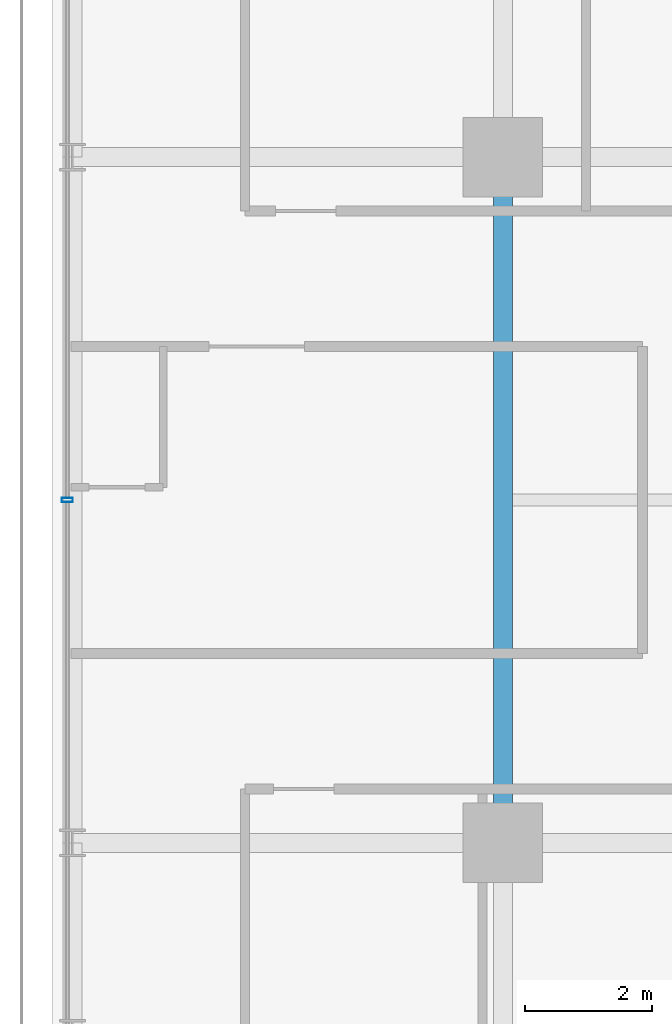
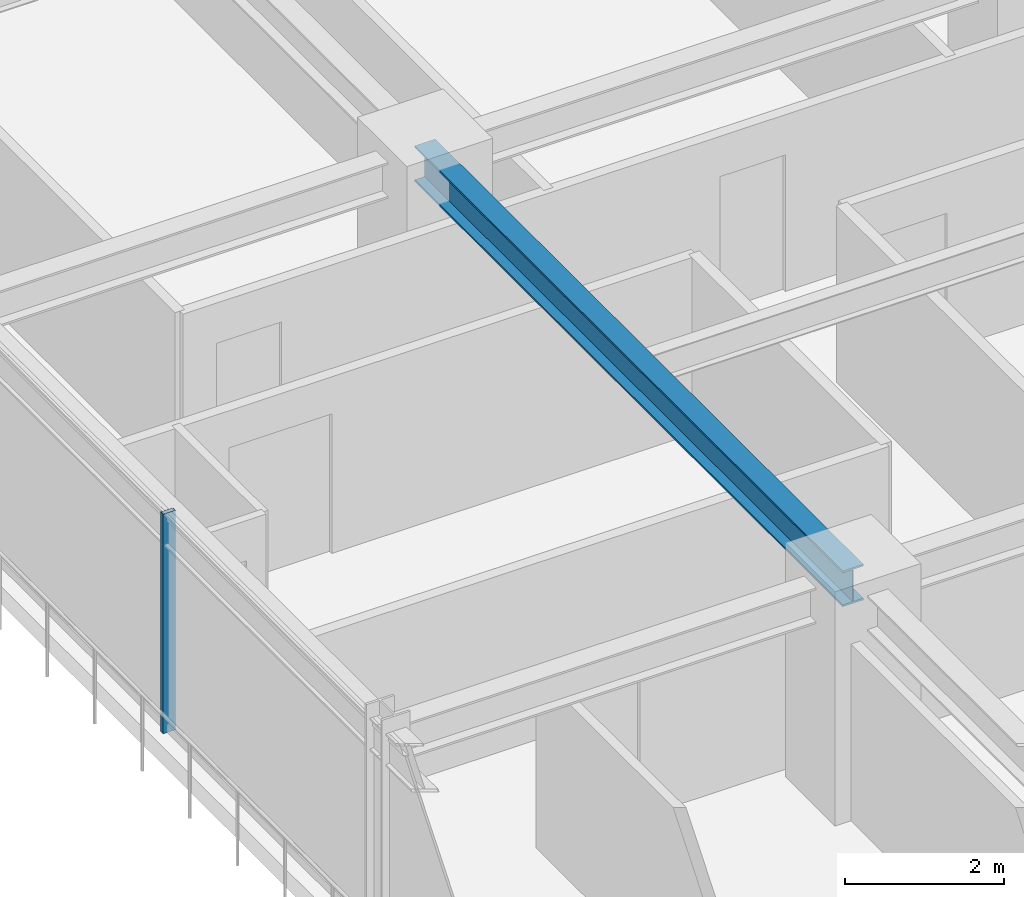
# One storey, part 9 of 34: 1 beam, 1 member, 1 element without a shape of its own.
"""IFC4 building model written with IfcOpenShell, lengths in metres."""

from ifc_helpers import new_model, si_unit, direction, frame, origin, origin_2d, place, context, subcontext, project, spatial, hollow_rectangle, i_section, extrude, source, transform, mapped, material, material_profile, profile_set, type_object, element, aggregate, save


model = new_model("IFC4")

# Units and contexts
model_context = context("Model", 3, precision=1e-05, world=origin(), true_north=direction((0.0, 1.0)))
body_context = subcontext(model_context, "Body", "Model", "MODEL_VIEW")
ifc_project = project(units=[si_unit("LENGTHUNIT", "METRE"), si_unit("AREAUNIT", "SQUARE_METRE"), si_unit("VOLUMEUNIT", "CUBIC_METRE"), si_unit("PLANEANGLEUNIT", "RADIAN"), si_unit("MASSUNIT", "GRAM", prefix="KILO")], contexts=[model_context])

# Site, building, storey
site_placement = place(None, origin())
site = spatial("IfcSite", under=ifc_project, at=site_placement, CompositionType="ELEMENT")
building_placement = place(site_placement, origin())
building = spatial("IfcBuilding", under=site, at=building_placement, Name="Nahalor Promenade Grand Hotel", CompositionType="ELEMENT")
storey_placement = place(building_placement, frame((0.0, 0.0, 88.300048828125)))
storey = spatial("IfcBuildingStorey", under=building, at=storey_placement, Name="L21", CompositionType="ELEMENT", Elevation=88.300048828125)

# Beam
ifc_material_1 = material(Name="Steel S355JR", Category="steel")
ifc_material_profile_1 = material_profile(ifc_material_1, i_section(OverallWidth=0.3, OverallDepth=0.55, WebThickness=0.015, FlangeThickness=0.029, at=origin_2d()), Name="HEB 550")
ifc_profile_set_1 = profile_set([ifc_material_profile_1], Name="Steel S355JR")
beam_type = type_object("IfcBeamType", Name="Beam-Girder-HEB550", PredefinedType="BEAM", material=ifc_profile_set_1)
shared_shape_1 = source(origin(), body_context, "Body", "SweptSolid", [
    extrude(i_section(OverallWidth=0.3, OverallDepth=0.55, WebThickness=0.015, FlangeThickness=0.029, at=origin_2d()), origin(), (0.0, 0.0, 1.0), 10.7998046875),
])
beam_placement = place(storey_placement, frame((-17.0, -5.39990234375, 3.10498046875), z_axis=(0.0, 1.0, 0.0), x_axis=(-1.0, 0.0, 0.0)))
element("IfcBeam", 1, at=beam_placement, inside=storey, type_object=beam_type, Name="BM-L21-GY-0-2", PredefinedType="BEAM", context=body_context, shape_type="MappedRepresentation", body=[
    mapped(shared_shape_1, transform((0.0, 0.0, 0.0), scale=1.0)),
])

# Curtain wall, member
ifc_material_2 = material(Name="Anodised Bronze Aluminium EN AW-6063 T6", Category="aluminium")
curtain_wall_type = type_object("IfcCurtainWallType", Name="CW2 Typical Hotel Flush Bronze Unitised Curtain Wall", PredefinedType="USERDEFINED", material=ifc_material_2)
curtain_wall_placement = place(storey_placement, origin())
curtain_wall = element("IfcCurtainWall", 2, at=curtain_wall_placement, inside=storey, type_object=curtain_wall_type, Name="L21 Curtain Wall CW-L21-W-1", ObjectType="UNITISED_CURTAIN_WALL", PredefinedType="USERDEFINED")
ifc_material_profile_2 = material_profile(ifc_material_2, hollow_rectangle(XDim=0.065, YDim=0.18, WallThickness=0.004, at=origin_2d()), Name="CWM 65x180x4")
ifc_profile_set_2 = profile_set([ifc_material_profile_2], Name="Anodised Bronze Aluminium EN AW-6063 T6")
member_type = type_object("IfcMemberType", Name="CWM2 Typical Bronze Mullion 65x180", PredefinedType="MULLION", material=ifc_profile_set_2)
shared_shape_2 = source(origin(), body_context, "Body", "SweptSolid", [
    extrude(hollow_rectangle(XDim=0.065, YDim=0.18, WallThickness=0.004, at=origin_2d()), origin(), (0.0, 0.0, 1.0), 3.3798828125),
])
member_placement = place(storey_placement, frame((-23.860107421875, 0.0, 0.0), z_axis=(0.0, 0.0, 1.0), x_axis=(0.0, 1.0, 0.0)))
member = element("IfcMember", 3, at=member_placement, type_object=member_type, Name="CW-L21-W-1 Mullion 2", PredefinedType="MULLION", context=body_context, shape_type="MappedRepresentation", body=[
    mapped(shared_shape_2, transform((0.0, 0.0, 0.0), scale=1.0)),
])
aggregate(curtain_wall, [member])

save(model, "model.ifc")
